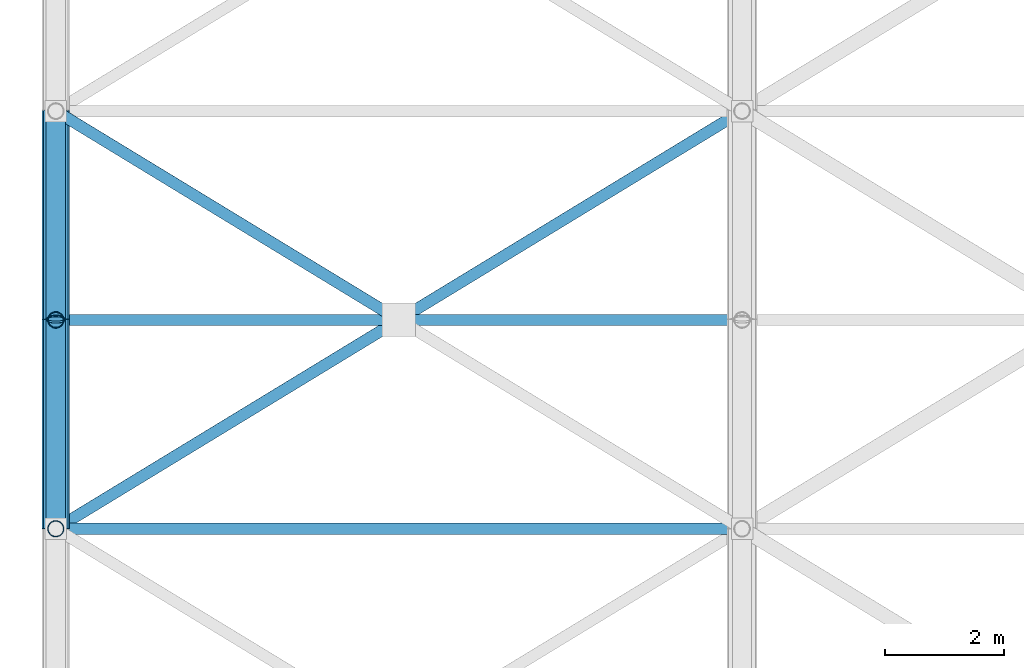
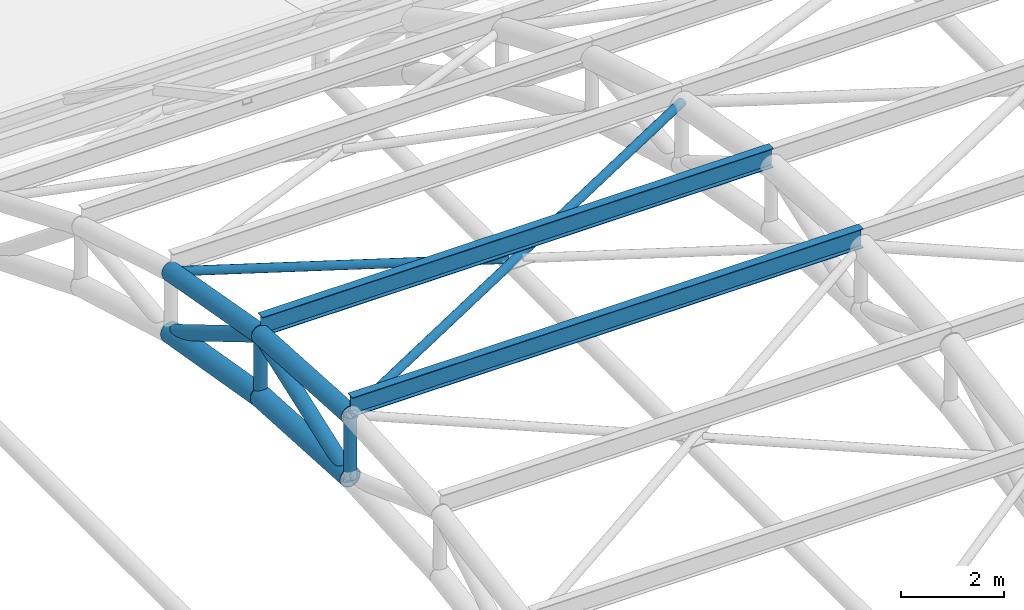
# One storey, part 14 of 154: 12 members.
"""IFC4 building model written with IfcOpenShell, lengths in metres."""

from ifc_helpers import new_model, si_unit, direction, frame, origin, origin_2d, place, context, subcontext, project, spatial, hollow_circle, i_section, extrude, material, material_profile, profile_set, type_object, element, save


model = new_model("IFC4")

# Units and contexts
model_context = context("Model", 3, precision=1e-05, world=origin(), true_north=direction((0.0, 1.0)))
body_context = subcontext(model_context, "Body", "Model", "MODEL_VIEW")
ifc_project = project(units=[si_unit("LENGTHUNIT", "METRE"), si_unit("AREAUNIT", "SQUARE_METRE"), si_unit("VOLUMEUNIT", "CUBIC_METRE"), si_unit("PLANEANGLEUNIT", "RADIAN"), si_unit("MASSUNIT", "GRAM", prefix="KILO")], contexts=[model_context])

# Site, building, storey
site_placement = place(None, origin())
site = spatial("IfcSite", under=ifc_project, at=site_placement, CompositionType="ELEMENT")
building_placement = place(site_placement, origin())
building = spatial("IfcBuilding", under=site, at=building_placement, Name="Ologun Quay Terminus", CompositionType="ELEMENT")
storey_placement = place(building_placement, frame((0.0, 0.0, 13.800048828125)))
storey = spatial("IfcBuildingStorey", under=building, at=storey_placement, Name="L03", CompositionType="ELEMENT", Elevation=13.800048828125)

# Members
ifc_material_1 = material(Name="Steel S355", Category="steel")
ifc_material_profile_1 = material_profile(ifc_material_1, hollow_circle(Radius=0.136474609375, WallThickness=0.010009765625, at=origin_2d()), Name="CHS 273x10")
ifc_profile_set_1 = profile_set([ifc_material_profile_1], Name="Steel S355")
member_type_1 = type_object("IfcMemberType", Name="Arch Truss Vertical Post CHS273", PredefinedType="STRUT", material=ifc_profile_set_1)
member_1_placement = place(storey_placement, frame((0.0, 57.0, 7.239990234375), z_axis=(0.0, 0.0, 1.0), x_axis=(1.0, 0.0, 0.0)))
element("IfcMember", 1, at=member_1_placement, inside=storey, type_object=member_type_1, Name="AW2 Arch Web Post 1-N6", PredefinedType="STRUT", context=body_context, shape_type="SweptSolid", body=[
    extrude(hollow_circle(Radius=0.136474609375, WallThickness=0.010009765625, at=origin_2d()), origin(), (0.0, 0.0, 1.0), 1.47998046875),
])
member_2_placement = place(storey_placement, frame((0.0, 60.5, 7.038818359375), z_axis=(0.0, 0.0, 1.0), x_axis=(1.0, 0.0, 0.0)))
element("IfcMember", 2, at=member_2_placement, inside=storey, type_object=member_type_1, Name="AW2 Arch Web Post 1-N7", PredefinedType="STRUT", context=body_context, shape_type="SweptSolid", body=[
    extrude(hollow_circle(Radius=0.136474609375, WallThickness=0.010009765625, at=origin_2d()), origin(), (0.0, 0.0, 1.0), 1.47216796875),
])
ifc_material_2 = material(Name="Steel S355", Category="steel")
ifc_material_profile_2 = material_profile(ifc_material_2, hollow_circle(Radius=0.161865234375, WallThickness=0.010009765625, at=origin_2d()), Name="CHS 323.9x10")
ifc_profile_set_2 = profile_set([ifc_material_profile_2], Name="Steel S355")
member_type_2 = type_object("IfcMemberType", Name="Arch Truss Web Diagonal CHS323", PredefinedType="BRACE", material=ifc_profile_set_2)
member_3_placement = place(storey_placement, frame((0.0, 57.0, 7.239990234375), z_axis=(0.0, 0.939942650142, 0.34133241048), x_axis=(-1.0, 0.0, 0.0)))
element("IfcMember", 3, at=member_3_placement, inside=storey, type_object=member_type_2, Name="AW1 Arch Web Diagonal 1-P7", PredefinedType="BRACE", context=body_context, shape_type="SweptSolid", body=[
    extrude(hollow_circle(Radius=0.161865234375, WallThickness=0.010009765625, at=origin_2d()), origin(), (0.0, 0.0, 1.0), 3.7236328125),
])
member_4_placement = place(storey_placement, frame((0.0, 60.5, 8.510986328125), z_axis=(0.0, 0.860144332958, -0.510050709715), x_axis=(-1.0, 0.0, 0.0)))
element("IfcMember", 4, at=member_4_placement, inside=storey, type_object=member_type_2, Name="AW1 Arch Web Diagonal 1-P8", PredefinedType="BRACE", context=body_context, shape_type="SweptSolid", body=[
    extrude(hollow_circle(Radius=0.161865234375, WallThickness=0.010009765625, at=origin_2d()), origin(), (0.0, 0.0, 1.0), 4.069091796875),
])
ifc_material_3 = material(Name="Steel S355", Category="steel")
ifc_material_profile_3 = material_profile(ifc_material_3, hollow_circle(Radius=0.203125, WallThickness=0.012451171875, at=origin_2d()), Name="CHS 406.4x12.5")
ifc_profile_set_3 = profile_set([ifc_material_profile_3], Name="Steel S355")
member_type_3 = type_object("IfcMemberType", Name="Gable End Arch Chord CHS406", PredefinedType="CHORD", material=ifc_profile_set_3)
member_5_placement = place(storey_placement, frame((0.0, 57.0, 8.719970703125), z_axis=(0.0, 0.998222121157, -0.0596036646), x_axis=(-1.0, 0.0, 0.0)))
element("IfcMember", 5, at=member_5_placement, inside=storey, type_object=member_type_3, Name="Arch Top Chord 1-P7", PredefinedType="CHORD", context=body_context, shape_type="SweptSolid", body=[
    extrude(hollow_circle(Radius=0.203125, WallThickness=0.012451171875, at=origin_2d()), origin(), (0.0, 0.0, 1.0), 3.50634765625),
])
member_6_placement = place(storey_placement, frame((0.0, 60.5, 8.510986328125), z_axis=(0.0, 0.984344289591, -0.176256402859), x_axis=(-1.0, 0.0, 0.0)))
element("IfcMember", 6, at=member_6_placement, inside=storey, type_object=member_type_3, Name="Arch Top Chord 1-P8", PredefinedType="CHORD", context=body_context, shape_type="SweptSolid", body=[
    extrude(hollow_circle(Radius=0.203125, WallThickness=0.012451171875, at=origin_2d()), origin(), (0.0, 0.0, 1.0), 3.5556640625),
])
ifc_material_4 = material(Name="Steel S355", Category="steel")
ifc_material_profile_4 = material_profile(ifc_material_4, hollow_circle(Radius=0.096923828125, WallThickness=0.00634765625, at=origin_2d()), Name="CHS 193.7x6.3")
ifc_profile_set_4 = profile_set([ifc_material_profile_4], Name="Steel S355")
member_type_4 = type_object("IfcMemberType", Name="Gable Portal Wind Brace CHS193", PredefinedType="BRACE", material=ifc_profile_set_4)
member_7_placement = place(storey_placement, frame((0.0, 57.0, 8.719970703125), z_axis=(0.852557618704, 0.518948115733, -0.061954499168), x_axis=(-0.519946946896, 0.854198555614, 0.0)))
element("IfcMember", 7, at=member_7_placement, inside=storey, type_object=member_type_4, Name="Roof Wind Brace A B1-K6", PredefinedType="BRACE", context=body_context, shape_type="SweptSolid", body=[
    extrude(hollow_circle(Radius=0.096923828125, WallThickness=0.00634765625, at=origin_2d()), origin(), (0.0, 0.0, 1.0), 13.48876953125),
])
member_8_placement = place(storey_placement, frame((0.0, 64.0, 7.88427734375), z_axis=(0.852563238847, -0.518938678703, 0.061956206405), x_axis=(0.51993754691, 0.854204277274, 0.0)))
element("IfcMember", 8, at=member_8_placement, inside=storey, type_object=member_type_4, Name="Roof Wind Brace B1 B1-K6", PredefinedType="BRACE", context=body_context, shape_type="SweptSolid", body=[
    extrude(hollow_circle(Radius=0.096923828125, WallThickness=0.00634765625, at=origin_2d()), origin(), (0.0, 0.0, 1.0), 6.604248046875),
])
ifc_material_5 = material(Name="Steel S355", Category="steel")
ifc_material_profile_5 = material_profile(ifc_material_5, hollow_circle(Radius=0.228515625, WallThickness=0.01611328125, at=origin_2d()), Name="CHS 457x16")
ifc_profile_set_5 = profile_set([ifc_material_profile_5], Name="Steel S355")
member_type_5 = type_object("IfcMemberType", Name="Parabolic Arch Bottom Chord CHS457", PredefinedType="CHORD", material=ifc_profile_set_5)
member_9_placement = place(storey_placement, frame((0.0, 57.0, 7.239990234375), z_axis=(0.0, 0.998352239869, -0.057382969144), x_axis=(-1.0, 0.0, 0.0)))
element("IfcMember", 9, at=member_9_placement, inside=storey, type_object=member_type_5, Name="AC2 Arch Bottom Chord 1-P7", PredefinedType="CHORD", context=body_context, shape_type="SweptSolid", body=[
    extrude(hollow_circle(Radius=0.228515625, WallThickness=0.01611328125, at=origin_2d()), origin(), (0.0, 0.0, 1.0), 3.505859375),
])
member_10_placement = place(storey_placement, frame((0.0, 60.5, 7.038818359375), z_axis=(0.0, 0.985468449185, -0.16985857547), x_axis=(-1.0, 0.0, 0.0)))
element("IfcMember", 10, at=member_10_placement, inside=storey, type_object=member_type_5, Name="AC2 Arch Bottom Chord 1-P8", PredefinedType="CHORD", context=body_context, shape_type="SweptSolid", body=[
    extrude(hollow_circle(Radius=0.228515625, WallThickness=0.01611328125, at=origin_2d()), origin(), (0.0, 0.0, 1.0), 3.551513671875),
])
ifc_material_6 = material(Name="Steel S355", Category="steel")
ifc_material_profile_6 = material_profile(ifc_material_6, i_section(OverallWidth=0.1904296875, OverallDepth=0.45703125, WebThickness=0.009033203125, FlangeThickness=0.014404296875, at=origin_2d()), Name="UKB 457x191x74")
ifc_profile_set_6 = profile_set([ifc_material_profile_6], Name="Steel S355")
member_type_6 = type_object("IfcMemberType", Name="Train Shed Primary Roof Purlin UKB457", PredefinedType="PURLIN", material=ifc_profile_set_6)
for number, where, z_axis, x_axis, name in (
    (11, (0.0, 57.0, 8.948486328125), (1.0, 0.0, 0.0), (0.0, 1.0, 0.0), "PR1 Roof Purlin B1-N6"),
    (12, (0.0, 60.5, 8.739501953125), (1.0, 0.0, 0.0), (0.0, 1.0, 0.0), "PR1 Roof Purlin B1-N7"),
):
    element("IfcMember", number, at=place(storey_placement, frame(where, z_axis=z_axis, x_axis=x_axis)), inside=storey, type_object=member_type_6, Name=name, PredefinedType="PURLIN", context=body_context, shape_type="SweptSolid", body=[
        extrude(i_section(OverallWidth=0.1904296875, OverallDepth=0.45703125, WebThickness=0.009033203125, FlangeThickness=0.014404296875, at=origin_2d()), origin(), (0.0, 0.0, 1.0), 11.5),
    ])

save(model, "model.ifc")
